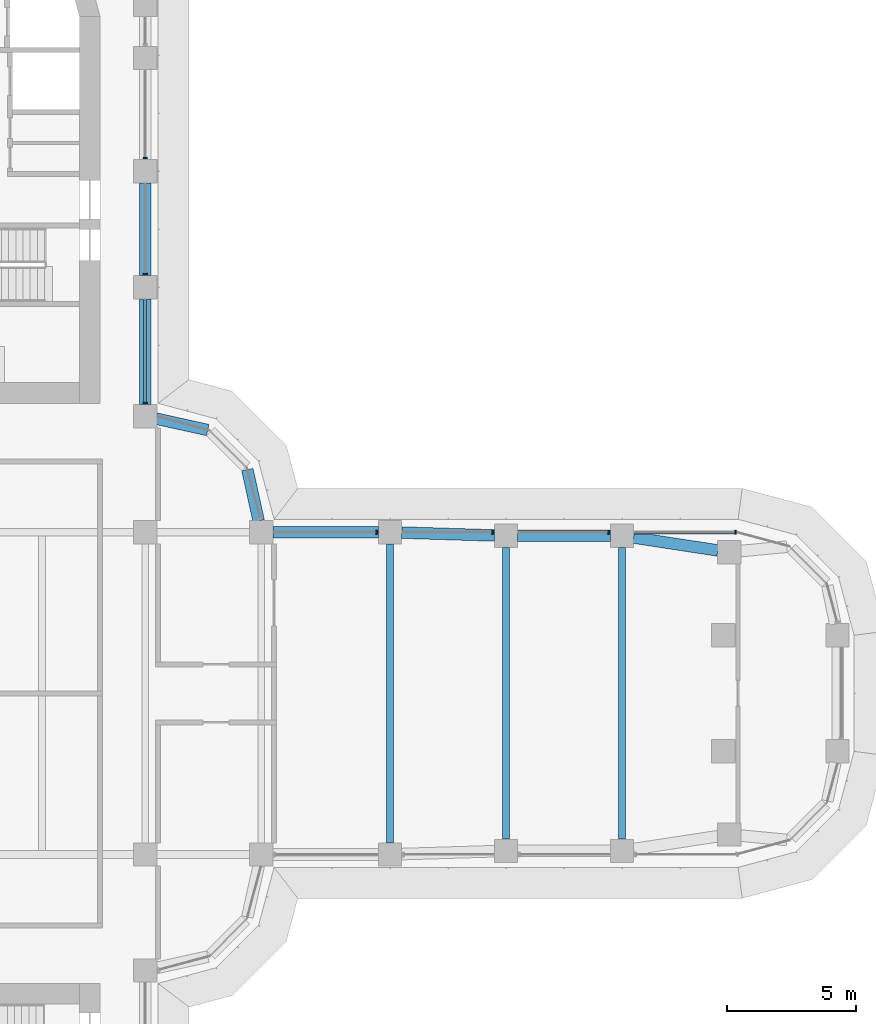
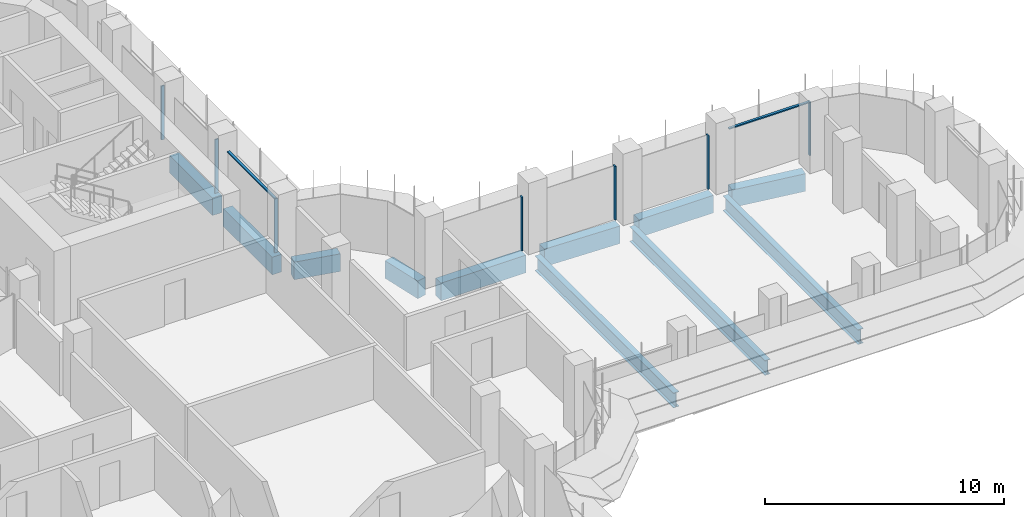
# One storey, part 8 of 21: 11 beams, 9 members, 2 elements without a shape of their own.
"""IFC4 building model written with IfcOpenShell, lengths in metres."""

from ifc_helpers import new_model, si_unit, direction, frame, origin, origin_2d, place, context, subcontext, project, spatial, polyline, rectangle, i_section, outline, extrude, source, transform, mapped, material, material_profile, profile_set, type_object, element, aggregate, save


model = new_model("IFC4")

# Units and contexts
model_context = context("Model", 3, precision=1e-05, world=origin(), true_north=direction((0.0, 1.0)))
body_context = subcontext(model_context, "Body", "Model", "MODEL_VIEW")
ifc_project = project(units=[si_unit("LENGTHUNIT", "METRE"), si_unit("AREAUNIT", "SQUARE_METRE"), si_unit("VOLUMEUNIT", "CUBIC_METRE"), si_unit("PLANEANGLEUNIT", "RADIAN"), si_unit("MASSUNIT", "GRAM", prefix="KILO")], contexts=[model_context])

# Site, building, storey
site_placement = place(None, origin())
site = spatial("IfcSite", under=ifc_project, at=site_placement, CompositionType="ELEMENT")
building_placement = place(site_placement, origin())
building = spatial("IfcBuilding", under=site, at=building_placement, Name="Zarbagh Exchange Tower", CompositionType="ELEMENT")
storey_placement = place(building_placement, frame((0.0, 0.0, 120.800048828125)))
storey = spatial("IfcBuildingStorey", under=building, at=storey_placement, Name="L28", CompositionType="ELEMENT", Elevation=120.800048828125)

# Beams
ifc_material_1 = material(Name="Steel ASTM A992 Gr 50", Category="steel")
ifc_material_profile_1 = material_profile(ifc_material_1, i_section(OverallWidth=0.2666015625, OverallDepth=0.7568359375, WebThickness=0.013916015625, FlangeThickness=0.019287109375, at=origin_2d()), Name="W30X108")
ifc_profile_set_1 = profile_set([ifc_material_profile_1], Name="Steel ASTM A992 Gr 50")
beam_type_1 = type_object("IfcBeamType", Name="Floor beam W30X108", PredefinedType="BEAM", material=ifc_profile_set_1)
beam_1_placement = place(storey_placement, frame((15.75, -5.800048828125, -0.528564453125), z_axis=(0.0, 1.0, 0.0), x_axis=(-1.0, 0.0, 0.0)))
element("IfcBeam", 1, at=beam_1_placement, inside=storey, type_object=beam_type_1, Name="Steel floor beam", PredefinedType="BEAM", context=body_context, shape_type="SweptSolid", body=[
    extrude(i_section(OverallWidth=0.2666015625, OverallDepth=0.7568359375, WebThickness=0.013916015625, FlangeThickness=0.019287109375, at=origin_2d()), origin(), (0.0, 0.0, 1.0), 11.60009765625),
])
for number, where, z_axis, x_axis, name in (
    (2, (20.25, -5.659912109375, -0.528564453125), (0.0, 1.0, 0.0), (-1.0, 0.0, 0.0), "Steel floor beam"),
    (3, (24.75, -5.659912109375, -0.528564453125), (0.0, 1.0, 0.0), (-1.0, 0.0, 0.0), "Steel floor beam"),
):
    element("IfcBeam", number, at=place(storey_placement, frame(where, z_axis=z_axis, x_axis=x_axis)), inside=storey, type_object=beam_type_1, Name=name, PredefinedType="BEAM", context=body_context, shape_type="SweptSolid", body=[
        extrude(i_section(OverallWidth=0.2666015625, OverallDepth=0.7568359375, WebThickness=0.013916015625, FlangeThickness=0.019287109375, at=origin_2d()), origin(), (0.0, 0.0, 1.0), 11.31982421875),
    ])
ifc_material_2 = material(Name="Concrete C60/75", Category="concrete")
ifc_material_profile_2 = material_profile(ifc_material_2, rectangle(XDim=0.449951171875, YDim=0.89990234375, at=origin_2d()), Name="RC spandrel beam 450 x 900 C60/75")
ifc_profile_set_2 = profile_set([ifc_material_profile_2], Name="Concrete C60/75")
beam_type_2 = type_object("IfcBeamType", Name="RC spandrel beam 450 x 900 C60/75", PredefinedType="SPANDREL", material=ifc_profile_set_2)
beam_2_placement = place(storey_placement, frame((6.25, 19.800048828125, -0.60009765625), z_axis=(0.0, -1.0, 0.0), x_axis=(1.0, 0.0, 0.0)))
element("IfcBeam", 4, at=beam_2_placement, inside=storey, type_object=beam_type_2, Name="RC spandrel beam", PredefinedType="SPANDREL", context=body_context, shape_type="SweptSolid", body=[
    extrude(rectangle(XDim=0.449951171875, YDim=0.89990234375, at=origin_2d()), origin(), (0.0, 0.0, 1.0), 3.60009765625),
])
beam_3_placement = place(storey_placement, frame((6.25, 15.300048828125, -0.60009765625), z_axis=(0.0, -1.0, 0.0), x_axis=(1.0, 0.0, 0.0)))
element("IfcBeam", 5, at=beam_3_placement, inside=storey, type_object=beam_type_2, Name="RC spandrel beam", PredefinedType="SPANDREL", context=body_context, shape_type="SweptSolid", body=[
    extrude(rectangle(XDim=0.449951171875, YDim=0.89990234375, at=origin_2d()), origin(), (0.0, 0.0, 1.0), 4.10009765625),
])
for number, where, z_axis, x_axis, name in (
    (6, (6.689453125, 10.65283203125, -0.60009765625), (0.976367325525, -0.216117666208, 0.0), (0.216117666208, 0.976367325525, 0.0), "RC spandrel beam"),
    (7, (10.212890625, 8.677001953125, -0.60009765625), (0.216117666208, -0.976367325525, 0.0), (0.976367325525, 0.216117666208, 0.0), "RC spandrel beam"),
):
    element("IfcBeam", number, at=place(storey_placement, frame(where, z_axis=z_axis, x_axis=x_axis)), inside=storey, type_object=beam_type_2, Name=name, PredefinedType="SPANDREL", context=body_context, shape_type="SweptSolid", body=[
        extrude(rectangle(XDim=0.449951171875, YDim=0.89990234375, at=origin_2d()), origin(), (0.0, 0.0, 1.0), 2.03564453125),
    ])
beam_4_placement = place(storey_placement, frame((11.199951171875, 6.25, -0.60009765625), z_axis=(1.0, 0.0, 0.0), x_axis=(0.0, 1.0, 0.0)))
element("IfcBeam", 8, at=beam_4_placement, inside=storey, type_object=beam_type_2, Name="RC spandrel beam", PredefinedType="SPANDREL", context=body_context, shape_type="SweptSolid", body=[
    extrude(rectangle(XDim=0.449951171875, YDim=0.89990234375, at=origin_2d()), origin(), (0.0, 0.0, 1.0), 4.10009765625),
])
beam_5_placement = place(storey_placement, frame((16.19970703125, 6.236083984375, -0.60009765625), z_axis=(0.999516035224, -0.031107801747, 0.0), x_axis=(0.031107801747, 0.999516035224, 0.0)))
element("IfcBeam", 9, at=beam_5_placement, inside=storey, type_object=beam_type_2, Name="RC spandrel beam", PredefinedType="SPANDREL", context=body_context, shape_type="SweptSolid", body=[
    extrude(rectangle(XDim=0.449951171875, YDim=0.89990234375, at=origin_2d()), origin(), (0.0, 0.0, 1.0), 3.602294921875),
])
beam_6_placement = place(storey_placement, frame((20.699951171875, 6.110107421875, -0.60009765625), z_axis=(1.0, 0.0, 0.0), x_axis=(0.0, 1.0, 0.0)))
element("IfcBeam", 10, at=beam_6_placement, inside=storey, type_object=beam_type_2, Name="RC spandrel beam", PredefinedType="SPANDREL", context=body_context, shape_type="SweptSolid", body=[
    extrude(rectangle(XDim=0.449951171875, YDim=0.89990234375, at=origin_2d()), origin(), (0.0, 0.0, 1.0), 3.60009765625),
])
beam_7_placement = place(storey_placement, frame((25.19482421875, 6.0419921875, -0.60009765625), z_axis=(0.988543505948, -0.150936201252, 0.0), x_axis=(0.150936201252, 0.988543505948, 0.0)))
element("IfcBeam", 11, at=beam_7_placement, inside=storey, type_object=beam_type_2, Name="RC spandrel beam", PredefinedType="SPANDREL", context=body_context, shape_type="SweptSolid", body=[
    extrude(rectangle(XDim=0.449951171875, YDim=0.89990234375, at=origin_2d()), origin(), (0.0, 0.0, 1.0), 3.30615234375),
])

# Curtain wall, members
ifc_material_3 = material(Name="Anodised aluminium frame and glazing", Category="aluminium")
curtain_wall_type = type_object("IfcCurtainWallType", Name="CWA Ribbon glazing, lower zones", PredefinedType="NOTDEFINED", material=ifc_material_3)
curtain_wall_1_placement = place(storey_placement, origin())
curtain_wall_1 = element("IfcCurtainWall", 12, at=curtain_wall_1_placement, inside=storey, type_object=curtain_wall_type, Name="CWA16 curtain wall", PredefinedType="NOTDEFINED")
ifc_material_4 = material(Name="Anodised aluminium frame", Category="aluminium")
member_type_1 = type_object("IfcMemberType", Name="MUA Mullion, anodised aluminium frame", PredefinedType="MULLION", material=ifc_material_4)
shared_shape_1 = source(origin(), body_context, "Body", "SweptSolid", [
    extrude(outline(polyline([(0.0, -0.080078125), (0.06005859375, -0.080078125), (0.06005859375, 0.080078125), (0.0, 0.080078125), (0.0, -0.080078125)])), origin(), (0.0, 0.0, 1.0), 2.75),
])
placement = place(storey_placement, origin())
member_1 = element("IfcMember", 13, at=placement, type_object=member_type_1, Name="CWA16 mullion 1.1", PredefinedType="MULLION", context=body_context, shape_type="MappedRepresentation", body=[
    mapped(shared_shape_1, transform((29.18408203125, 6.25, 0.0), x_axis=(-1.0, 0.0, 0.0), y_axis=(0.0, -1.0, 0.0), z_axis=(0.0, 0.0, 1.0))),
])
member_2 = element("IfcMember", 14, at=placement, type_object=member_type_1, Name="CWA16 mullion 2.1", PredefinedType="MULLION", context=body_context, shape_type="MappedRepresentation", body=[
    mapped(shared_shape_1, transform((24.260009765625, 6.25, 0.0), x_axis=(-1.0, 0.0, 0.0), y_axis=(0.0, -1.0, 0.0), z_axis=(0.0, 0.0, 1.0))),
])
member_3 = element("IfcMember", 15, at=placement, type_object=member_type_1, Name="CWA16 mullion 3.1", PredefinedType="MULLION", context=body_context, shape_type="MappedRepresentation", body=[
    mapped(shared_shape_1, transform((19.760009765625, 6.25, 0.0), x_axis=(-1.0, 0.0, 0.0), y_axis=(0.0, -1.0, 0.0), z_axis=(0.0, 0.0, 1.0))),
])
member_4 = element("IfcMember", 16, at=placement, type_object=member_type_1, Name="CWA16 mullion 4.1", PredefinedType="MULLION", context=body_context, shape_type="MappedRepresentation", body=[
    mapped(shared_shape_1, transform((15.260009765625, 6.25, 0.0), x_axis=(-1.0, 0.0, 0.0), y_axis=(0.0, -1.0, 0.0), z_axis=(0.0, 0.0, 1.0))),
])

curtain_wall_2_placement = place(storey_placement, origin())
curtain_wall_2 = element("IfcCurtainWall", 17, at=curtain_wall_2_placement, inside=storey, type_object=curtain_wall_type, Name="CWA49 curtain wall", PredefinedType="NOTDEFINED")
member_5 = element("IfcMember", 18, at=placement, type_object=member_type_1, Name="CWA49 mullion 1.1", PredefinedType="MULLION", context=body_context, shape_type="MappedRepresentation", body=[
    mapped(shared_shape_1, transform((6.25, 11.239990234375, 0.0), x_axis=(0.0, 1.0, 0.0), y_axis=(-1.0, 0.0, 0.0), z_axis=(0.0, 0.0, 1.0))),
])
member_6 = element("IfcMember", 19, at=placement, type_object=member_type_1, Name="CWA49 mullion 2.1", PredefinedType="MULLION", context=body_context, shape_type="MappedRepresentation", body=[
    mapped(shared_shape_1, transform((6.25, 16.239990234375, 0.0), x_axis=(0.0, 1.0, 0.0), y_axis=(-1.0, 0.0, 0.0), z_axis=(0.0, 0.0, 1.0))),
])
member_7 = element("IfcMember", 20, at=placement, type_object=member_type_1, Name="CWA49 mullion 3.1", PredefinedType="MULLION", context=body_context, shape_type="MappedRepresentation", body=[
    mapped(shared_shape_1, transform((6.25, 20.739990234375, 0.0), x_axis=(0.0, 1.0, 0.0), y_axis=(-1.0, 0.0, 0.0), z_axis=(0.0, 0.0, 1.0))),
])
member_type_2 = type_object("IfcMemberType", Name="TRA Transom, anodised aluminium frame", PredefinedType="USERDEFINED", material=ifc_material_4)
shared_shape_2 = source(origin(), body_context, "Body", "SweptSolid", [
    extrude(outline(polyline([(-0.06005859375, -0.06005859375), (0.0, -0.06005859375), (0.0, 0.06005859375), (-0.06005859375, 0.06005859375), (-0.06005859375, -0.06005859375)])), origin(), (0.0, 0.0, 1.0), 3.9599609375),
])
member_8 = element("IfcMember", 21, at=placement, type_object=member_type_2, Name="CWA49 transom 1.1", ObjectType="TRANSOM", PredefinedType="USERDEFINED", context=body_context, shape_type="MappedRepresentation", body=[
    mapped(shared_shape_2, transform((6.25, 11.300048828125, 2.75), x_axis=(0.0, 0.0, 1.0), y_axis=(1.0, 0.0, 0.0), z_axis=(0.0, 1.0, 0.0))),
])
aggregate(curtain_wall_2, [member_5, member_8, member_6, member_7])

# Member
shared_shape_3 = source(origin(), body_context, "Body", "SweptSolid", [
    extrude(outline(polyline([(-0.06005859375, -0.06005859375), (0.0, -0.06005859375), (0.0, 0.06005859375), (-0.06005859375, 0.06005859375), (-0.06005859375, -0.06005859375)])), origin(), (0.0, 0.0, 1.0), 3.88427734375),
])
member_9 = element("IfcMember", 22, at=placement, type_object=member_type_2, Name="CWA16 transom 1.1", ObjectType="TRANSOM", PredefinedType="USERDEFINED", context=body_context, shape_type="MappedRepresentation", body=[
    mapped(shared_shape_3, transform((29.124267578125, 6.25, 2.75), x_axis=(0.0, 0.0, 1.0), y_axis=(0.0, 1.0, 0.0), z_axis=(-1.0, 0.0, 0.0))),
])

aggregate(curtain_wall_1, [member_1, member_9, member_2, member_3, member_4])

save(model, "model.ifc")
